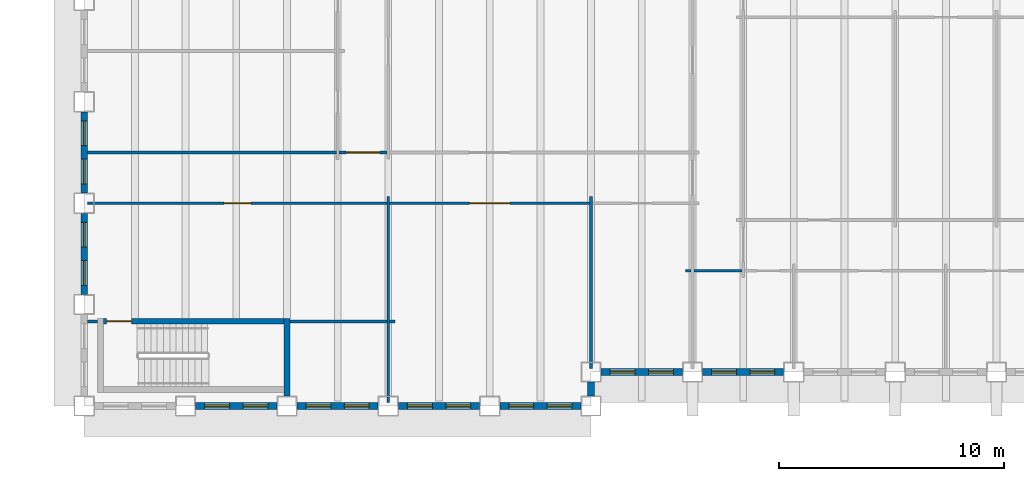
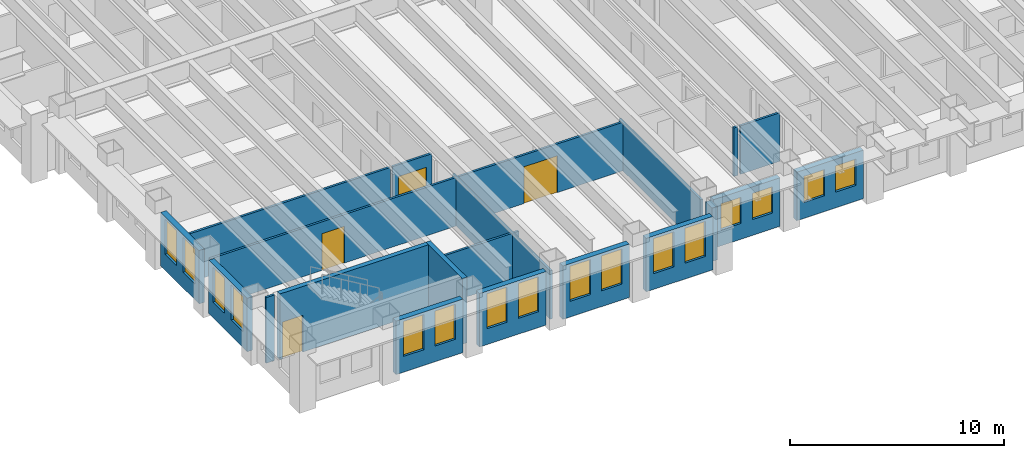
# One storey, part 3 of 16: 22 walls, 16 windows, 4 doors, 20 openings.
"""IFC4 building model written with IfcOpenShell, lengths in metres."""

from ifc_helpers import new_model, si_unit, direction, frame, frame_2d, origin, place, context, subcontext, project, spatial, rectangle, extrude, material, layer, layer_set, type_object, element, fill, save


model = new_model("IFC4")

# Units and contexts
model_context = context("Model", 3, precision=1e-05, world=origin(), true_north=direction((0.0, 1.0)))
body_context = subcontext(model_context, "Body", "Model", "MODEL_VIEW")
ifc_project = project(units=[si_unit("LENGTHUNIT", "METRE"), si_unit("AREAUNIT", "SQUARE_METRE"), si_unit("VOLUMEUNIT", "CUBIC_METRE"), si_unit("PLANEANGLEUNIT", "RADIAN"), si_unit("MASSUNIT", "GRAM", prefix="KILO")], contexts=[model_context])

# Site, building, storey
site_placement = place(None, origin())
site = spatial("IfcSite", under=ifc_project, at=site_placement, CompositionType="ELEMENT")
building_placement = place(site_placement, origin())
building = spatial("IfcBuilding", under=site, at=building_placement, Name="Sennacour Bend Tower", CompositionType="ELEMENT")
storey_placement = place(building_placement, frame((0.0, 0.0, 183.0)))
storey = spatial("IfcBuildingStorey", under=building, at=storey_placement, Name="L42", CompositionType="ELEMENT", Elevation=183.0)

# Walls
ifc_material_1 = material(Name="Plasterboard partition on steel studs", Category="steel")
ifc_layer_1 = layer(ifc_material_1, 0.1201171875, Name="Plasterboard partition on steel studs", Category="steel")
ifc_layer_set_1 = layer_set([ifc_layer_1], Name="Plasterboard partition on steel studs")
wall_type_1 = type_object("IfcWallType", Name="Partition 120", PredefinedType="PARTITIONING", material=ifc_layer_set_1)
wall_1_placement = place(storey_placement, frame((13.5, 0.14990234375, 0.0), z_axis=(0.0, 0.0, 1.0), x_axis=(0.0, 1.0, 0.0)))
element("IfcWall", 1, at=wall_1_placement, inside=storey, type_object=wall_type_1, Name="P-L42-W013a", PredefinedType="PARTITIONING", context=body_context, shape_type="SweptSolid", body=[
    extrude(rectangle(XDim=9.150146484375, YDim=0.1201171875, at=frame_2d((4.5751953125, 0.0))), origin(), (0.0, 0.0, 1.0), 2.77001953125),
])
wall_2_placement = place(storey_placement, frame((22.5, 1.64990234375, 0.0), z_axis=(0.0, 0.0, 1.0), x_axis=(0.0, 1.0, 0.0)))
element("IfcWall", 2, at=wall_2_placement, inside=storey, type_object=wall_type_1, Name="P-L42-W021a", PredefinedType="PARTITIONING", context=body_context, shape_type="SweptSolid", body=[
    extrude(rectangle(XDim=7.650146484375, YDim=0.1201171875, at=frame_2d((3.8251953125, 0.0))), origin(), (0.0, 0.0, 1.0), 2.77001953125),
])
wall_3_placement = place(storey_placement, frame((0.14990234375, 3.75, 0.0), z_axis=(0.0, 0.0, 1.0), x_axis=(1.0, 0.0, 0.0)))
element("IfcWall", 3, at=wall_3_placement, inside=storey, type_object=wall_type_1, Name="P-L42-W051a", PredefinedType="PARTITIONING", context=body_context, shape_type="SweptSolid", body=[
    extrude(rectangle(XDim=0.4501953125, YDim=0.1201171875, at=frame_2d((0.22509765625, 0.0))), origin(), (0.0, 0.0, 1.0), 3.75),
])
wall_4_placement = place(storey_placement, frame((9.125, 3.75, 0.0), z_axis=(0.0, 0.0, 1.0), x_axis=(1.0, 0.0, 0.0)))
element("IfcWall", 4, at=wall_4_placement, inside=storey, type_object=wall_type_1, Name="P-L42-W053aa", PredefinedType="PARTITIONING", context=body_context, shape_type="SweptSolid", body=[
    extrude(rectangle(XDim=4.31494140625, YDim=0.1201171875, at=frame_2d((2.157470703125, 0.0))), origin(), (0.0, 0.0, 1.0), 2.77001953125),
])
for number, where, z_axis, x_axis, name in (
    (5, (13.56005859375, 3.75, 0.0), (0.0, 0.0, 1.0), (1.0, 0.0, 0.0), "P-L42-W053ab"),
    (6, (26.699951171875, 6.0, 0.0), (0.0, 0.0, 1.0), (1.0, 0.0, 0.0), "P-L42-W056aa"),
):
    element("IfcWall", number, at=place(storey_placement, frame(where, z_axis=z_axis, x_axis=x_axis)), inside=storey, type_object=wall_type_1, Name=name, PredefinedType="PARTITIONING", context=body_context, shape_type="SweptSolid", body=[
        extrude(rectangle(XDim=0.239990234375, YDim=0.1201171875, at=frame_2d((0.1201171875, 0.0))), origin(), (0.0, 0.0, 1.0), 2.77001953125),
    ])
wall_5_placement = place(storey_placement, frame((27.06005859375, 6.0, 0.0), z_axis=(0.0, 0.0, 1.0), x_axis=(1.0, 0.0, 0.0)))
element("IfcWall", 7, at=wall_5_placement, inside=storey, type_object=wall_type_1, Name="P-L42-W056ab", PredefinedType="PARTITIONING", context=body_context, shape_type="SweptSolid", body=[
    extrude(rectangle(XDim=2.1298828125, YDim=0.1201171875, at=frame_2d((1.06494140625, 0.0))), origin(), (0.0, 0.0, 1.0), 2.77001953125),
])

# Wall, opening, door
wall_6_placement = place(storey_placement, frame((13.56005859375, 9.0, 0.0), z_axis=(0.0, 0.0, 1.0), x_axis=(1.0, 0.0, 0.0)))
wall_6 = element("IfcWall", 8, at=wall_6_placement, inside=storey, type_object=wall_type_1, Name="P-L42-W059ab", PredefinedType="PARTITIONING", context=body_context, shape_type="SweptSolid", body=[
    extrude(rectangle(XDim=8.8798828125, YDim=0.1201171875, at=frame_2d((4.43994140625, 0.0))), origin(), (0.0, 0.0, 1.0), 2.77001953125),
])
opening_1_placement = place(wall_6_placement, frame((3.539794921875, 0.0, 0.0)))
opening_1 = element("IfcOpeningElement", 9, at=opening_1_placement, cuts=wall_6, Name="Opening OD3", PredefinedType="OPENING", context=body_context, shape_type="SweptSolid", body=[
    extrude(rectangle(XDim=1.800048828125, YDim=2.10009765625, at=frame_2d((0.89990234375, 1.050048828125))), frame((0.0, 0.070068359375, 0.0), z_axis=(0.0, -1.0, 0.0), x_axis=(1.0, 0.0, 0.0)), (0.0, 0.0, 1.0), 0.14013671875),
])
ifc_material_2 = material(Name="Timber", Category="wood")
door_type_1 = type_object("IfcDoorType", Name="DR-OFFICE-1800", OperationType="NOTDEFINED", PredefinedType="DOOR", material=ifc_material_2)
door_1_placement = place(opening_1_placement, origin())
door_1 = element("IfcDoor", 10, at=door_1_placement, inside=storey, type_object=door_type_1, Name="Door", OperationType="DOUBLE_DOOR_SINGLE_SWING", OverallHeight=2.10009765625, OverallWidth=1.800048828125, PredefinedType="DOOR", context=body_context, shape_type="SweptSolid", body=[
    extrude(rectangle(XDim=1.800048828125, YDim=2.10009765625, at=frame_2d((0.89990234375, 1.050048828125))), frame((0.0, 0.02490234375, 0.0), z_axis=(0.0, -1.0, 0.0), x_axis=(1.0, 0.0, 0.0)), (0.0, 0.0, 1.0), 0.050048828125),
])
fill(opening_1, door_1)

# Wall
wall_7_placement = place(storey_placement, frame((0.14990234375, 11.25, 0.0), z_axis=(0.0, 0.0, 1.0), x_axis=(1.0, 0.0, 0.0)))
element("IfcWall", 11, at=wall_7_placement, inside=storey, type_object=wall_type_1, Name="P-L42-W061aa", PredefinedType="PARTITIONING", context=body_context, shape_type="SweptSolid", body=[
    extrude(rectangle(XDim=11.0400390625, YDim=0.1201171875, at=frame_2d((5.52001953125, 0.0))), origin(), (0.0, 0.0, 1.0), 2.77001953125),
])

# Wall, opening, door
ifc_layer_2 = layer(ifc_material_1, 0.1201171875, Name="Plasterboard partition on steel studs", Category="steel")
ifc_layer_set_2 = layer_set([ifc_layer_2], Name="Plasterboard partition on steel studs")
wall_type_2 = type_object("IfcWallType", Name="Partition 120 EI 30", PredefinedType="PARTITIONING", material=ifc_layer_set_2)
wall_8_placement = place(storey_placement, frame((0.14990234375, 9.0, 0.0), z_axis=(0.0, 0.0, 1.0), x_axis=(1.0, 0.0, 0.0)))
wall_8 = element("IfcWall", 12, at=wall_8_placement, inside=storey, type_object=wall_type_2, Name="P-L42-W059aa", PredefinedType="PARTITIONING", context=body_context, shape_type="SweptSolid", body=[
    extrude(rectangle(XDim=13.2900390625, YDim=0.1201171875, at=frame_2d((6.64501953125, 0.0))), origin(), (0.0, 0.0, 1.0), 2.77001953125),
])
opening_2_placement = place(wall_8_placement, frame((6.05517578125, 0.0, 0.0)))
opening_2 = element("IfcOpeningElement", 13, at=opening_2_placement, cuts=wall_8, Name="Opening KD2", PredefinedType="OPENING", context=body_context, shape_type="SweptSolid", body=[
    extrude(rectangle(XDim=1.199951171875, YDim=2.10009765625, at=frame_2d((0.60009765625, 1.050048828125))), frame((0.0, 0.070068359375, 0.0), z_axis=(0.0, -1.0, 0.0), x_axis=(1.0, 0.0, 0.0)), (0.0, 0.0, 1.0), 0.14013671875),
])
ifc_material_3 = material(Name="Painted steel", Category="steel")
door_type_2 = type_object("IfcDoorType", Name="DR-CORRIDOR-1200", OperationType="NOTDEFINED", PredefinedType="DOOR", material=ifc_material_3)
door_2_placement = place(opening_2_placement, origin())
door_2 = element("IfcDoor", 14, at=door_2_placement, inside=storey, type_object=door_type_2, Name="Door", OperationType="SINGLE_SWING_LEFT", OverallHeight=2.10009765625, OverallWidth=1.199951171875, PredefinedType="DOOR", context=body_context, shape_type="SweptSolid", body=[
    extrude(rectangle(XDim=1.199951171875, YDim=2.10009765625, at=frame_2d((0.60009765625, 1.050048828125))), frame((0.0, 0.02490234375, 0.0), z_axis=(0.0, -1.0, 0.0), x_axis=(1.0, 0.0, 0.0)), (0.0, 0.0, 1.0), 0.050048828125),
])
fill(opening_2, door_2)

wall_9_placement = place(storey_placement, frame((11.31005859375, 11.25, 0.0), z_axis=(0.0, 0.0, 1.0), x_axis=(1.0, 0.0, 0.0)))
wall_9 = element("IfcWall", 15, at=wall_9_placement, inside=storey, type_object=wall_type_2, Name="P-L42-W061ab", PredefinedType="PARTITIONING", context=body_context, shape_type="SweptSolid", body=[
    extrude(rectangle(XDim=2.1298828125, YDim=0.1201171875, at=frame_2d((1.06494140625, 0.0))), origin(), (0.0, 0.0, 1.0), 2.77001953125),
])
opening_3_placement = place(wall_9_placement, frame((0.31494140625, 0.0, 0.0)))
opening_3 = element("IfcOpeningElement", 16, at=opening_3_placement, cuts=wall_9, Name="Opening KD", PredefinedType="OPENING", context=body_context, shape_type="SweptSolid", body=[
    extrude(rectangle(XDim=1.5, YDim=2.10009765625, at=frame_2d((0.75, 1.050048828125))), frame((0.0, 0.070068359375, 0.0), z_axis=(0.0, -1.0, 0.0), x_axis=(1.0, 0.0, 0.0)), (0.0, 0.0, 1.0), 0.14013671875),
])
door_type_3 = type_object("IfcDoorType", Name="DR-CORRIDOR-1500", OperationType="NOTDEFINED", PredefinedType="DOOR", material=ifc_material_3)
door_3_placement = place(opening_3_placement, origin())
door_3 = element("IfcDoor", 17, at=door_3_placement, inside=storey, type_object=door_type_3, Name="Door", OperationType="SINGLE_SWING_LEFT", OverallHeight=2.10009765625, OverallWidth=1.5, PredefinedType="DOOR", context=body_context, shape_type="SweptSolid", body=[
    extrude(rectangle(XDim=1.5, YDim=2.10009765625, at=frame_2d((0.75, 1.050048828125))), frame((0.0, 0.02490234375, 0.0), z_axis=(0.0, -1.0, 0.0), x_axis=(1.0, 0.0, 0.0)), (0.0, 0.0, 1.0), 0.050048828125),
])
fill(opening_3, door_3)

# Wall, openings, windows
ifc_material_4 = material(Name="Warm limestone cladding", Category="masonry")
ifc_layer_3 = layer(ifc_material_4, 0.050048828125, Name="Warm limestone cladding", Category="masonry")
ifc_material_5 = material(Name="Precast concrete C40/50", Category="concrete")
ifc_layer_4 = layer(ifc_material_5, 0.25, Name="Precast concrete C40/50", Category="concrete")
ifc_layer_set_3 = layer_set([ifc_layer_3, ifc_layer_4], Name="Precast concrete C40/50 with limestone cladding")
wall_type_3 = type_object("IfcWallType", Name="STONE-CLAD PRECAST SPANDREL 300", PredefinedType="STANDARD", material=ifc_layer_set_3)
wall_10_placement = place(storey_placement, frame((4.949951171875, 0.0, 0.0), z_axis=(0.0, 0.0, 1.0), x_axis=(1.0, 0.0, 0.0)))
wall_10 = element("IfcWall", 18, at=wall_10_placement, inside=storey, type_object=wall_type_3, Name="Stone spandrel and pier wall L42 00.01", PredefinedType="STANDARD", context=body_context, shape_type="SweptSolid", body=[
    extrude(rectangle(XDim=3.60009765625, YDim=0.300048828125, at=frame_2d((1.800048828125, 0.0))), origin(), (0.0, 0.0, 1.0), 3.049072265625),
])
opening_4_placement = place(wall_10_placement, frame((0.39990234375, 0.0, 0.89990234375)))
opening_4 = element("IfcOpeningElement", 19, at=opening_4_placement, cuts=wall_10, Name="Opening W19", PredefinedType="OPENING", context=body_context, shape_type="SweptSolid", body=[
    extrude(rectangle(XDim=1.10009765625, YDim=2.0, at=frame_2d((0.550048828125, 1.0))), frame((0.0, 0.16015625, 0.0), z_axis=(0.0, -1.0, 0.0), x_axis=(1.0, 0.0, 0.0)), (0.0, 0.0, 1.0), 0.320068359375),
])
opening_5_placement = place(wall_10_placement, frame((2.10009765625, 0.0, 0.89990234375)))
opening_5 = element("IfcOpeningElement", 20, at=opening_5_placement, cuts=wall_10, Name="Opening W19", PredefinedType="OPENING", context=body_context, shape_type="SweptSolid", body=[
    extrude(rectangle(XDim=1.10009765625, YDim=2.0, at=frame_2d((0.550048828125, 1.0))), frame((0.0, 0.16015625, 0.0), z_axis=(0.0, -1.0, 0.0), x_axis=(1.0, 0.0, 0.0)), (0.0, 0.0, 1.0), 0.320068359375),
])
ifc_material_6 = material(Name="Clear low-emissivity glass", Category="glass")
window_type_1 = type_object("IfcWindowType", Name="WIN-RIBBON-1100x2000", PartitioningType="SINGLE_PANEL", PredefinedType="WINDOW", material=ifc_material_6)
window_1_placement = place(opening_4_placement, origin())
window_1 = element("IfcWindow", 21, at=window_1_placement, inside=storey, type_object=window_type_1, Name="Ribbon window L42 00.01.0", OverallHeight=2.0, OverallWidth=1.10009765625, PartitioningType="SINGLE_PANEL", PredefinedType="WINDOW", context=body_context, shape_type="SweptSolid", body=[
    extrude(rectangle(XDim=1.10009765625, YDim=2.0, at=frame_2d((0.550048828125, 1.0))), frame((0.0, 0.030029296875, 0.0), z_axis=(0.0, -1.0, 0.0), x_axis=(1.0, 0.0, 0.0)), (0.0, 0.0, 1.0), 0.06005859375),
])
fill(opening_4, window_1)
window_2_placement = place(opening_5_placement, origin())
window_2 = element("IfcWindow", 22, at=window_2_placement, inside=storey, type_object=window_type_1, Name="Ribbon window L42 00.01.1", OverallHeight=2.0, OverallWidth=1.10009765625, PartitioningType="SINGLE_PANEL", PredefinedType="WINDOW", context=body_context, shape_type="SweptSolid", body=[
    extrude(rectangle(XDim=1.10009765625, YDim=2.0, at=frame_2d((0.550048828125, 1.0))), frame((0.0, 0.030029296875, 0.0), z_axis=(0.0, -1.0, 0.0), x_axis=(1.0, 0.0, 0.0)), (0.0, 0.0, 1.0), 0.06005859375),
])
fill(opening_5, window_2)

wall_11_placement = place(storey_placement, frame((9.449951171875, 0.0, 0.0), z_axis=(0.0, 0.0, 1.0), x_axis=(1.0, 0.0, 0.0)))
wall_11 = element("IfcWall", 23, at=wall_11_placement, inside=storey, type_object=wall_type_3, Name="Stone spandrel and pier wall L42 00.02", PredefinedType="STANDARD", context=body_context, shape_type="SweptSolid", body=[
    extrude(rectangle(XDim=3.60009765625, YDim=0.300048828125, at=frame_2d((1.800048828125, 0.0))), origin(), (0.0, 0.0, 1.0), 3.049072265625),
])
opening_6_placement = place(wall_11_placement, frame((0.39990234375, 0.0, 0.89990234375)))
opening_6 = element("IfcOpeningElement", 24, at=opening_6_placement, cuts=wall_11, Name="Opening W19", PredefinedType="OPENING", context=body_context, shape_type="SweptSolid", body=[
    extrude(rectangle(XDim=1.10009765625, YDim=2.0, at=frame_2d((0.550048828125, 1.0))), frame((0.0, 0.16015625, 0.0), z_axis=(0.0, -1.0, 0.0), x_axis=(1.0, 0.0, 0.0)), (0.0, 0.0, 1.0), 0.320068359375),
])
opening_7_placement = place(wall_11_placement, frame((2.10009765625, 0.0, 0.89990234375)))
opening_7 = element("IfcOpeningElement", 25, at=opening_7_placement, cuts=wall_11, Name="Opening W19", PredefinedType="OPENING", context=body_context, shape_type="SweptSolid", body=[
    extrude(rectangle(XDim=1.10009765625, YDim=2.0, at=frame_2d((0.550048828125, 1.0))), frame((0.0, 0.16015625, 0.0), z_axis=(0.0, -1.0, 0.0), x_axis=(1.0, 0.0, 0.0)), (0.0, 0.0, 1.0), 0.320068359375),
])
window_3_placement = place(opening_6_placement, origin())
window_3 = element("IfcWindow", 26, at=window_3_placement, inside=storey, type_object=window_type_1, Name="Ribbon window L42 00.02.0", OverallHeight=2.0, OverallWidth=1.10009765625, PartitioningType="SINGLE_PANEL", PredefinedType="WINDOW", context=body_context, shape_type="SweptSolid", body=[
    extrude(rectangle(XDim=1.10009765625, YDim=2.0, at=frame_2d((0.550048828125, 1.0))), frame((0.0, 0.030029296875, 0.0), z_axis=(0.0, -1.0, 0.0), x_axis=(1.0, 0.0, 0.0)), (0.0, 0.0, 1.0), 0.06005859375),
])
fill(opening_6, window_3)
window_4_placement = place(opening_7_placement, origin())
window_4 = element("IfcWindow", 27, at=window_4_placement, inside=storey, type_object=window_type_1, Name="Ribbon window L42 00.02.1", OverallHeight=2.0, OverallWidth=1.10009765625, PartitioningType="SINGLE_PANEL", PredefinedType="WINDOW", context=body_context, shape_type="SweptSolid", body=[
    extrude(rectangle(XDim=1.10009765625, YDim=2.0, at=frame_2d((0.550048828125, 1.0))), frame((0.0, 0.030029296875, 0.0), z_axis=(0.0, -1.0, 0.0), x_axis=(1.0, 0.0, 0.0)), (0.0, 0.0, 1.0), 0.06005859375),
])
fill(opening_7, window_4)

wall_12_placement = place(storey_placement, frame((13.949951171875, 0.0, 0.0), z_axis=(0.0, 0.0, 1.0), x_axis=(1.0, 0.0, 0.0)))
wall_12 = element("IfcWall", 28, at=wall_12_placement, inside=storey, type_object=wall_type_3, Name="Stone spandrel and pier wall L42 00.03", PredefinedType="STANDARD", context=body_context, shape_type="SweptSolid", body=[
    extrude(rectangle(XDim=3.60009765625, YDim=0.300048828125, at=frame_2d((1.800048828125, 0.0))), origin(), (0.0, 0.0, 1.0), 3.049072265625),
])
opening_8_placement = place(wall_12_placement, frame((0.39990234375, 0.0, 0.89990234375)))
opening_8 = element("IfcOpeningElement", 29, at=opening_8_placement, cuts=wall_12, Name="Opening W19", PredefinedType="OPENING", context=body_context, shape_type="SweptSolid", body=[
    extrude(rectangle(XDim=1.10009765625, YDim=2.0, at=frame_2d((0.550048828125, 1.0))), frame((0.0, 0.16015625, 0.0), z_axis=(0.0, -1.0, 0.0), x_axis=(1.0, 0.0, 0.0)), (0.0, 0.0, 1.0), 0.320068359375),
])
opening_9_placement = place(wall_12_placement, frame((2.10009765625, 0.0, 0.89990234375)))
opening_9 = element("IfcOpeningElement", 30, at=opening_9_placement, cuts=wall_12, Name="Opening W19", PredefinedType="OPENING", context=body_context, shape_type="SweptSolid", body=[
    extrude(rectangle(XDim=1.10009765625, YDim=2.0, at=frame_2d((0.550048828125, 1.0))), frame((0.0, 0.16015625, 0.0), z_axis=(0.0, -1.0, 0.0), x_axis=(1.0, 0.0, 0.0)), (0.0, 0.0, 1.0), 0.320068359375),
])
window_5_placement = place(opening_8_placement, origin())
window_5 = element("IfcWindow", 31, at=window_5_placement, inside=storey, type_object=window_type_1, Name="Ribbon window L42 00.03.0", OverallHeight=2.0, OverallWidth=1.10009765625, PartitioningType="SINGLE_PANEL", PredefinedType="WINDOW", context=body_context, shape_type="SweptSolid", body=[
    extrude(rectangle(XDim=1.10009765625, YDim=2.0, at=frame_2d((0.550048828125, 1.0))), frame((0.0, 0.030029296875, 0.0), z_axis=(0.0, -1.0, 0.0), x_axis=(1.0, 0.0, 0.0)), (0.0, 0.0, 1.0), 0.06005859375),
])
fill(opening_8, window_5)
window_6_placement = place(opening_9_placement, origin())
window_6 = element("IfcWindow", 32, at=window_6_placement, inside=storey, type_object=window_type_1, Name="Ribbon window L42 00.03.1", OverallHeight=2.0, OverallWidth=1.10009765625, PartitioningType="SINGLE_PANEL", PredefinedType="WINDOW", context=body_context, shape_type="SweptSolid", body=[
    extrude(rectangle(XDim=1.10009765625, YDim=2.0, at=frame_2d((0.550048828125, 1.0))), frame((0.0, 0.030029296875, 0.0), z_axis=(0.0, -1.0, 0.0), x_axis=(1.0, 0.0, 0.0)), (0.0, 0.0, 1.0), 0.06005859375),
])
fill(opening_9, window_6)

wall_13_placement = place(storey_placement, frame((18.449951171875, 0.0, 0.0), z_axis=(0.0, 0.0, 1.0), x_axis=(1.0, 0.0, 0.0)))
wall_13 = element("IfcWall", 33, at=wall_13_placement, inside=storey, type_object=wall_type_3, Name="Stone spandrel and pier wall L42 00.04", PredefinedType="STANDARD", context=body_context, shape_type="SweptSolid", body=[
    extrude(rectangle(XDim=3.60009765625, YDim=0.300048828125, at=frame_2d((1.800048828125, 0.0))), origin(), (0.0, 0.0, 1.0), 3.049072265625),
])
opening_10_placement = place(wall_13_placement, frame((0.39990234375, 0.0, 0.89990234375)))
opening_10 = element("IfcOpeningElement", 34, at=opening_10_placement, cuts=wall_13, Name="Opening W19", PredefinedType="OPENING", context=body_context, shape_type="SweptSolid", body=[
    extrude(rectangle(XDim=1.10009765625, YDim=2.0, at=frame_2d((0.550048828125, 1.0))), frame((0.0, 0.16015625, 0.0), z_axis=(0.0, -1.0, 0.0), x_axis=(1.0, 0.0, 0.0)), (0.0, 0.0, 1.0), 0.320068359375),
])
opening_11_placement = place(wall_13_placement, frame((2.10009765625, 0.0, 0.89990234375)))
opening_11 = element("IfcOpeningElement", 35, at=opening_11_placement, cuts=wall_13, Name="Opening W19", PredefinedType="OPENING", context=body_context, shape_type="SweptSolid", body=[
    extrude(rectangle(XDim=1.10009765625, YDim=2.0, at=frame_2d((0.550048828125, 1.0))), frame((0.0, 0.16015625, 0.0), z_axis=(0.0, -1.0, 0.0), x_axis=(1.0, 0.0, 0.0)), (0.0, 0.0, 1.0), 0.320068359375),
])
window_7_placement = place(opening_10_placement, origin())
window_7 = element("IfcWindow", 36, at=window_7_placement, inside=storey, type_object=window_type_1, Name="Ribbon window L42 00.04.0", OverallHeight=2.0, OverallWidth=1.10009765625, PartitioningType="SINGLE_PANEL", PredefinedType="WINDOW", context=body_context, shape_type="SweptSolid", body=[
    extrude(rectangle(XDim=1.10009765625, YDim=2.0, at=frame_2d((0.550048828125, 1.0))), frame((0.0, 0.030029296875, 0.0), z_axis=(0.0, -1.0, 0.0), x_axis=(1.0, 0.0, 0.0)), (0.0, 0.0, 1.0), 0.06005859375),
])
fill(opening_10, window_7)
window_8_placement = place(opening_11_placement, origin())
window_8 = element("IfcWindow", 37, at=window_8_placement, inside=storey, type_object=window_type_1, Name="Ribbon window L42 00.04.1", OverallHeight=2.0, OverallWidth=1.10009765625, PartitioningType="SINGLE_PANEL", PredefinedType="WINDOW", context=body_context, shape_type="SweptSolid", body=[
    extrude(rectangle(XDim=1.10009765625, YDim=2.0, at=frame_2d((0.550048828125, 1.0))), frame((0.0, 0.030029296875, 0.0), z_axis=(0.0, -1.0, 0.0), x_axis=(1.0, 0.0, 0.0)), (0.0, 0.0, 1.0), 0.06005859375),
])
fill(opening_11, window_8)

# Wall
wall_14_placement = place(storey_placement, frame((22.5, 0.449951171875, 0.0), z_axis=(0.0, 0.0, 1.0), x_axis=(0.0, 1.0, 0.0)))
element("IfcWall", 38, at=wall_14_placement, inside=storey, type_object=wall_type_3, Name="Stone spandrel and pier wall L42 01.00", PredefinedType="STANDARD", context=body_context, shape_type="SweptSolid", body=[
    extrude(rectangle(XDim=0.60009765625, YDim=0.300048828125, at=frame_2d((0.300048828125, 0.0))), origin(), (0.0, 0.0, 1.0), 3.049072265625),
])

# Wall, openings, windows
wall_15_placement = place(storey_placement, frame((22.949951171875, 1.5, 0.0), z_axis=(0.0, 0.0, 1.0), x_axis=(1.0, 0.0, 0.0)))
wall_15 = element("IfcWall", 39, at=wall_15_placement, inside=storey, type_object=wall_type_3, Name="Stone spandrel and pier wall L42 02.00", PredefinedType="STANDARD", context=body_context, shape_type="SweptSolid", body=[
    extrude(rectangle(XDim=3.60009765625, YDim=0.300048828125, at=frame_2d((1.800048828125, 0.0))), origin(), (0.0, 0.0, 1.0), 2.77001953125),
])
opening_12_placement = place(wall_15_placement, frame((0.39990234375, 0.0, 0.89990234375)))
opening_12 = element("IfcOpeningElement", 40, at=opening_12_placement, cuts=wall_15, Name="Opening W20", PredefinedType="OPENING", context=body_context, shape_type="SweptSolid", body=[
    extrude(rectangle(XDim=1.10009765625, YDim=1.5, at=frame_2d((0.550048828125, 0.75))), frame((0.0, 0.16015625, 0.0), z_axis=(0.0, -1.0, 0.0), x_axis=(1.0, 0.0, 0.0)), (0.0, 0.0, 1.0), 0.320068359375),
])
opening_13_placement = place(wall_15_placement, frame((2.10009765625, 0.0, 0.89990234375)))
opening_13 = element("IfcOpeningElement", 41, at=opening_13_placement, cuts=wall_15, Name="Opening W20", PredefinedType="OPENING", context=body_context, shape_type="SweptSolid", body=[
    extrude(rectangle(XDim=1.10009765625, YDim=1.5, at=frame_2d((0.550048828125, 0.75))), frame((0.0, 0.16015625, 0.0), z_axis=(0.0, -1.0, 0.0), x_axis=(1.0, 0.0, 0.0)), (0.0, 0.0, 1.0), 0.320068359375),
])
window_type_2 = type_object("IfcWindowType", Name="WIN-RIBBON-1100x1500", PartitioningType="SINGLE_PANEL", PredefinedType="WINDOW", material=ifc_material_6)
window_9_placement = place(opening_12_placement, origin())
window_9 = element("IfcWindow", 42, at=window_9_placement, inside=storey, type_object=window_type_2, Name="Ribbon window L42 02.00.0", OverallHeight=1.5, OverallWidth=1.10009765625, PartitioningType="SINGLE_PANEL", PredefinedType="WINDOW", context=body_context, shape_type="SweptSolid", body=[
    extrude(rectangle(XDim=1.10009765625, YDim=1.5, at=frame_2d((0.550048828125, 0.75))), frame((0.0, 0.030029296875, 0.0), z_axis=(0.0, -1.0, 0.0), x_axis=(1.0, 0.0, 0.0)), (0.0, 0.0, 1.0), 0.06005859375),
])
fill(opening_12, window_9)
window_10_placement = place(opening_13_placement, origin())
window_10 = element("IfcWindow", 43, at=window_10_placement, inside=storey, type_object=window_type_2, Name="Ribbon window L42 02.00.1", OverallHeight=1.5, OverallWidth=1.10009765625, PartitioningType="SINGLE_PANEL", PredefinedType="WINDOW", context=body_context, shape_type="SweptSolid", body=[
    extrude(rectangle(XDim=1.10009765625, YDim=1.5, at=frame_2d((0.550048828125, 0.75))), frame((0.0, 0.030029296875, 0.0), z_axis=(0.0, -1.0, 0.0), x_axis=(1.0, 0.0, 0.0)), (0.0, 0.0, 1.0), 0.06005859375),
])
fill(opening_13, window_10)

wall_16_placement = place(storey_placement, frame((27.449951171875, 1.5, 0.0), z_axis=(0.0, 0.0, 1.0), x_axis=(1.0, 0.0, 0.0)))
wall_16 = element("IfcWall", 44, at=wall_16_placement, inside=storey, type_object=wall_type_3, Name="Stone spandrel and pier wall L42 02.01", PredefinedType="STANDARD", context=body_context, shape_type="SweptSolid", body=[
    extrude(rectangle(XDim=3.60009765625, YDim=0.300048828125, at=frame_2d((1.800048828125, 0.0))), origin(), (0.0, 0.0, 1.0), 2.77001953125),
])
opening_14_placement = place(wall_16_placement, frame((0.39990234375, 0.0, 0.89990234375)))
opening_14 = element("IfcOpeningElement", 45, at=opening_14_placement, cuts=wall_16, Name="Opening W20", PredefinedType="OPENING", context=body_context, shape_type="SweptSolid", body=[
    extrude(rectangle(XDim=1.10009765625, YDim=1.5, at=frame_2d((0.550048828125, 0.75))), frame((0.0, 0.16015625, 0.0), z_axis=(0.0, -1.0, 0.0), x_axis=(1.0, 0.0, 0.0)), (0.0, 0.0, 1.0), 0.320068359375),
])
opening_15_placement = place(wall_16_placement, frame((2.10009765625, 0.0, 0.89990234375)))
opening_15 = element("IfcOpeningElement", 46, at=opening_15_placement, cuts=wall_16, Name="Opening W20", PredefinedType="OPENING", context=body_context, shape_type="SweptSolid", body=[
    extrude(rectangle(XDim=1.10009765625, YDim=1.5, at=frame_2d((0.550048828125, 0.75))), frame((0.0, 0.16015625, 0.0), z_axis=(0.0, -1.0, 0.0), x_axis=(1.0, 0.0, 0.0)), (0.0, 0.0, 1.0), 0.320068359375),
])
window_11_placement = place(opening_14_placement, origin())
window_11 = element("IfcWindow", 47, at=window_11_placement, inside=storey, type_object=window_type_2, Name="Ribbon window L42 02.01.0", OverallHeight=1.5, OverallWidth=1.10009765625, PartitioningType="SINGLE_PANEL", PredefinedType="WINDOW", context=body_context, shape_type="SweptSolid", body=[
    extrude(rectangle(XDim=1.10009765625, YDim=1.5, at=frame_2d((0.550048828125, 0.75))), frame((0.0, 0.030029296875, 0.0), z_axis=(0.0, -1.0, 0.0), x_axis=(1.0, 0.0, 0.0)), (0.0, 0.0, 1.0), 0.06005859375),
])
fill(opening_14, window_11)
window_12_placement = place(opening_15_placement, origin())
window_12 = element("IfcWindow", 48, at=window_12_placement, inside=storey, type_object=window_type_2, Name="Ribbon window L42 02.01.1", OverallHeight=1.5, OverallWidth=1.10009765625, PartitioningType="SINGLE_PANEL", PredefinedType="WINDOW", context=body_context, shape_type="SweptSolid", body=[
    extrude(rectangle(XDim=1.10009765625, YDim=1.5, at=frame_2d((0.550048828125, 0.75))), frame((0.0, 0.030029296875, 0.0), z_axis=(0.0, -1.0, 0.0), x_axis=(1.0, 0.0, 0.0)), (0.0, 0.0, 1.0), 0.06005859375),
])
fill(opening_15, window_12)

wall_17_placement = place(storey_placement, frame((0.0, 13.050048828125, 0.0), z_axis=(0.0, 0.0, 1.0), x_axis=(0.0, -1.0, 0.0)))
wall_17 = element("IfcWall", 49, at=wall_17_placement, inside=storey, type_object=wall_type_3, Name="Stone spandrel and pier wall L42 23.02", PredefinedType="STANDARD", context=body_context, shape_type="SweptSolid", body=[
    extrude(rectangle(XDim=3.60009765625, YDim=0.300048828125, at=frame_2d((1.800048828125, 0.0))), origin(), (0.0, 0.0, 1.0), 3.049072265625),
])
opening_16_placement = place(wall_17_placement, frame((0.39990234375, 0.0, 0.89990234375)))
opening_16 = element("IfcOpeningElement", 50, at=opening_16_placement, cuts=wall_17, Name="Opening W19", PredefinedType="OPENING", context=body_context, shape_type="SweptSolid", body=[
    extrude(rectangle(XDim=1.10009765625, YDim=2.0, at=frame_2d((0.550048828125, 1.0))), frame((0.0, 0.16015625, 0.0), z_axis=(0.0, -1.0, 0.0), x_axis=(1.0, 0.0, 0.0)), (0.0, 0.0, 1.0), 0.320068359375),
])
opening_17_placement = place(wall_17_placement, frame((2.10009765625, 0.0, 0.89990234375)))
opening_17 = element("IfcOpeningElement", 51, at=opening_17_placement, cuts=wall_17, Name="Opening W19", PredefinedType="OPENING", context=body_context, shape_type="SweptSolid", body=[
    extrude(rectangle(XDim=1.10009765625, YDim=2.0, at=frame_2d((0.550048828125, 1.0))), frame((0.0, 0.16015625, 0.0), z_axis=(0.0, -1.0, 0.0), x_axis=(1.0, 0.0, 0.0)), (0.0, 0.0, 1.0), 0.320068359375),
])
window_13_placement = place(opening_16_placement, origin())
window_13 = element("IfcWindow", 52, at=window_13_placement, inside=storey, type_object=window_type_1, Name="Ribbon window L42 23.02.0", OverallHeight=2.0, OverallWidth=1.10009765625, PartitioningType="SINGLE_PANEL", PredefinedType="WINDOW", context=body_context, shape_type="SweptSolid", body=[
    extrude(rectangle(XDim=1.10009765625, YDim=2.0, at=frame_2d((0.550048828125, 1.0))), frame((0.0, 0.030029296875, 0.0), z_axis=(0.0, -1.0, 0.0), x_axis=(1.0, 0.0, 0.0)), (0.0, 0.0, 1.0), 0.06005859375),
])
fill(opening_16, window_13)
window_14_placement = place(opening_17_placement, origin())
window_14 = element("IfcWindow", 53, at=window_14_placement, inside=storey, type_object=window_type_1, Name="Ribbon window L42 23.02.1", OverallHeight=2.0, OverallWidth=1.10009765625, PartitioningType="SINGLE_PANEL", PredefinedType="WINDOW", context=body_context, shape_type="SweptSolid", body=[
    extrude(rectangle(XDim=1.10009765625, YDim=2.0, at=frame_2d((0.550048828125, 1.0))), frame((0.0, 0.030029296875, 0.0), z_axis=(0.0, -1.0, 0.0), x_axis=(1.0, 0.0, 0.0)), (0.0, 0.0, 1.0), 0.06005859375),
])
fill(opening_17, window_14)

wall_18_placement = place(storey_placement, frame((0.0, 8.550048828125, 0.0), z_axis=(0.0, 0.0, 1.0), x_axis=(0.0, -1.0, 0.0)))
wall_18 = element("IfcWall", 54, at=wall_18_placement, inside=storey, type_object=wall_type_3, Name="Stone spandrel and pier wall L42 23.03", PredefinedType="STANDARD", context=body_context, shape_type="SweptSolid", body=[
    extrude(rectangle(XDim=3.60009765625, YDim=0.300048828125, at=frame_2d((1.800048828125, 0.0))), origin(), (0.0, 0.0, 1.0), 3.049072265625),
])
opening_18_placement = place(wall_18_placement, frame((0.39990234375, 0.0, 0.89990234375)))
opening_18 = element("IfcOpeningElement", 55, at=opening_18_placement, cuts=wall_18, Name="Opening W19", PredefinedType="OPENING", context=body_context, shape_type="SweptSolid", body=[
    extrude(rectangle(XDim=1.10009765625, YDim=2.0, at=frame_2d((0.550048828125, 1.0))), frame((0.0, 0.16015625, 0.0), z_axis=(0.0, -1.0, 0.0), x_axis=(1.0, 0.0, 0.0)), (0.0, 0.0, 1.0), 0.320068359375),
])
opening_19_placement = place(wall_18_placement, frame((2.10009765625, 0.0, 0.89990234375)))
opening_19 = element("IfcOpeningElement", 56, at=opening_19_placement, cuts=wall_18, Name="Opening W19", PredefinedType="OPENING", context=body_context, shape_type="SweptSolid", body=[
    extrude(rectangle(XDim=1.10009765625, YDim=2.0, at=frame_2d((0.550048828125, 1.0))), frame((0.0, 0.16015625, 0.0), z_axis=(0.0, -1.0, 0.0), x_axis=(1.0, 0.0, 0.0)), (0.0, 0.0, 1.0), 0.320068359375),
])
window_15_placement = place(opening_18_placement, origin())
window_15 = element("IfcWindow", 57, at=window_15_placement, inside=storey, type_object=window_type_1, Name="Ribbon window L42 23.03.0", OverallHeight=2.0, OverallWidth=1.10009765625, PartitioningType="SINGLE_PANEL", PredefinedType="WINDOW", context=body_context, shape_type="SweptSolid", body=[
    extrude(rectangle(XDim=1.10009765625, YDim=2.0, at=frame_2d((0.550048828125, 1.0))), frame((0.0, 0.030029296875, 0.0), z_axis=(0.0, -1.0, 0.0), x_axis=(1.0, 0.0, 0.0)), (0.0, 0.0, 1.0), 0.06005859375),
])
fill(opening_18, window_15)
window_16_placement = place(opening_19_placement, origin())
window_16 = element("IfcWindow", 58, at=window_16_placement, inside=storey, type_object=window_type_1, Name="Ribbon window L42 23.03.1", OverallHeight=2.0, OverallWidth=1.10009765625, PartitioningType="SINGLE_PANEL", PredefinedType="WINDOW", context=body_context, shape_type="SweptSolid", body=[
    extrude(rectangle(XDim=1.10009765625, YDim=2.0, at=frame_2d((0.550048828125, 1.0))), frame((0.0, 0.030029296875, 0.0), z_axis=(0.0, -1.0, 0.0), x_axis=(1.0, 0.0, 0.0)), (0.0, 0.0, 1.0), 0.06005859375),
])
fill(opening_19, window_16)

# Wall
ifc_material_7 = material(Name="Concrete C60/75", Category="concrete")
ifc_layer_5 = layer(ifc_material_7, 0.25, Name="Concrete C60/75", Category="concrete")
ifc_layer_set_4 = layer_set([ifc_layer_5], Name="Concrete C60/75")
wall_type_4 = type_object("IfcWallType", Name="Stair wall 250", PredefinedType="SHEAR", material=ifc_layer_set_4)
wall_19_placement = place(storey_placement, frame((9.0, 0.449951171875, 0.0), z_axis=(0.0, 0.0, 1.0), x_axis=(0.0, 1.0, 0.0)))
element("IfcWall", 59, at=wall_19_placement, inside=storey, type_object=wall_type_4, Name="P-L42-W009", PredefinedType="SHEAR", context=body_context, shape_type="SweptSolid", body=[
    extrude(rectangle(XDim=3.425048828125, YDim=0.25, at=frame_2d((1.71240234375, 0.0))), origin(), (0.0, 0.0, 1.0), 3.75),
])

# Wall, opening, door
wall_20_placement = place(storey_placement, frame((0.85009765625, 3.75, 0.0), z_axis=(0.0, 0.0, 1.0), x_axis=(1.0, 0.0, 0.0)))
wall_20 = element("IfcWall", 60, at=wall_20_placement, inside=storey, type_object=wall_type_4, Name="P-L42-W052", PredefinedType="SHEAR", context=body_context, shape_type="SweptSolid", body=[
    extrude(rectangle(XDim=8.02490234375, YDim=0.25, at=frame_2d((4.012451171875, 0.0))), origin(), (0.0, 0.0, 1.0), 3.75),
])
opening_20_placement = place(wall_20_placement, frame((0.14990234375, 0.0, 0.0)))
opening_20 = element("IfcOpeningElement", 61, at=opening_20_placement, cuts=wall_20, Name="Opening SD", PredefinedType="OPENING", context=body_context, shape_type="SweptSolid", body=[
    extrude(rectangle(XDim=1.10009765625, YDim=2.10009765625, at=frame_2d((0.550048828125, 1.050048828125))), frame((0.0, 0.135009765625, 0.0), z_axis=(0.0, -1.0, 0.0), x_axis=(1.0, 0.0, 0.0)), (0.0, 0.0, 1.0), 0.27001953125),
])
door_type_4 = type_object("IfcDoorType", Name="DR-STAIR-1100", OperationType="NOTDEFINED", PredefinedType="DOOR", material=ifc_material_3)
door_4_placement = place(opening_20_placement, origin())
door_4 = element("IfcDoor", 62, at=door_4_placement, inside=storey, type_object=door_type_4, Name="Door", OperationType="SINGLE_SWING_LEFT", OverallHeight=2.10009765625, OverallWidth=1.10009765625, PredefinedType="DOOR", context=body_context, shape_type="SweptSolid", body=[
    extrude(rectangle(XDim=1.10009765625, YDim=2.10009765625, at=frame_2d((0.550048828125, 1.050048828125))), frame((0.0, 0.02490234375, 0.0), z_axis=(0.0, -1.0, 0.0), x_axis=(1.0, 0.0, 0.0)), (0.0, 0.0, 1.0), 0.050048828125),
])
fill(opening_20, door_4)

save(model, "model.ifc")
